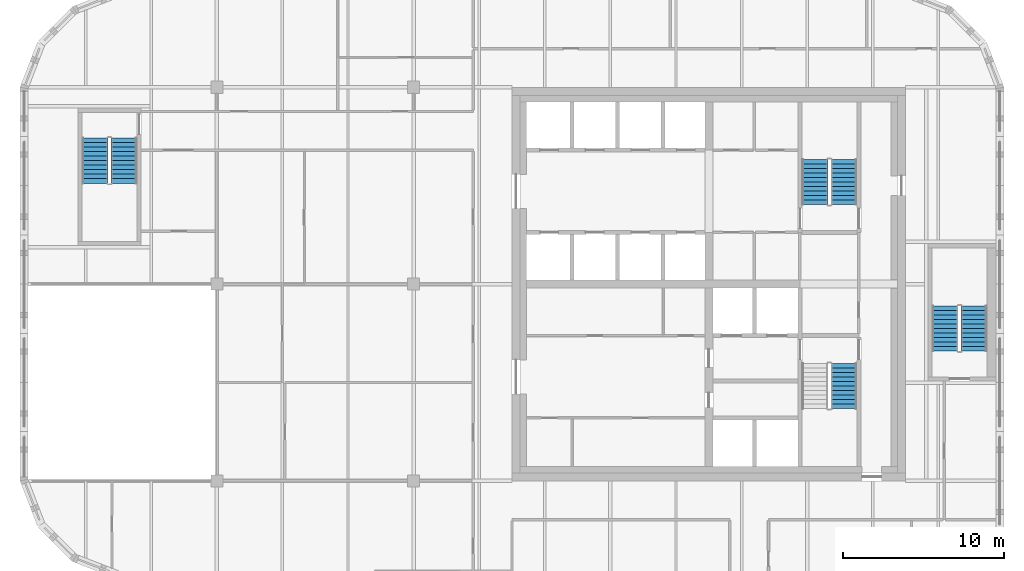
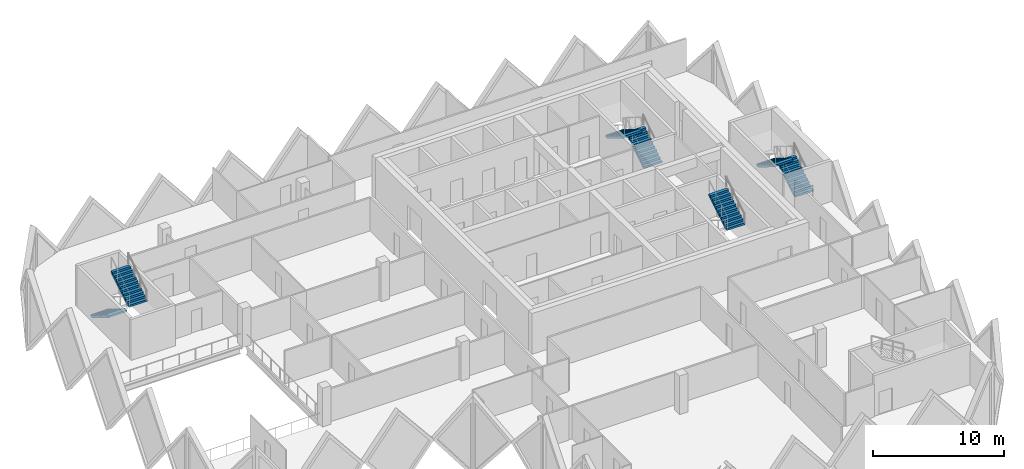
# One storey, part 11 of 12: 7 stair flights, 4 elements without a shape of their own.
"""IFC4 building model written with IfcOpenShell, lengths in metres."""

import ifcopenshell
import ifcopenshell.guid

model = None  # the IFC model being written
_history = None  # IfcOwnerHistory: only IFC2X3 demands one
_inside = {}  # id of a spatial element -> (the spatial element, [elements in it])
_under = {}  # id of a project, library or spatial element -> (it, [spatial elements below it])
_declared = {}  # id of a project -> (the project, [libraries it declares])
_typed = {}  # id of a type object -> (the type object, [elements of that type])
_made_of = {}  # id of a material, layer set ... -> (it, [elements and type objects made of it])


def new_model(schema):
    """Start an empty IFC model of exactly this schema.

    Asked for "IFC4X3", IfcOpenShell would pick the latest addendum, in which some entities
    have other attributes; the version numbers below select the first issue.
    IFC2X3 requires an IfcOwnerHistory on every rooted entity: one is made here for all.
    """
    global model, _history
    if schema == "IFC4X3":
        model = ifcopenshell.file(schema_version=(4, 3, 0, 0))
    else:
        model = ifcopenshell.file(schema=schema)
    _inside.clear()
    _under.clear()
    _declared.clear()
    _typed.clear()
    _made_of.clear()
    _history = None
    if model.schema == "IFC2X3":
        org = make("IfcOrganization", Name="unknown")
        user = make(
            "IfcPersonAndOrganization",
            ThePerson=make("IfcPerson", FamilyName="unknown"),
            TheOrganization=org,
        )
        app = make(
            "IfcApplication",
            ApplicationDeveloper=org,
            Version="unknown",
            ApplicationFullName="unknown",
            ApplicationIdentifier="unknown",
        )
        _history = make(
            "IfcOwnerHistory",
            OwningUser=user,
            OwningApplication=app,
            ChangeAction="ADDED",
            CreationDate=0,
        )
    return model


def make(cls, **values):
    """One entity of the class cls with the attributes given. An attribute that is None is left unset."""
    return model.create_entity(
        cls, **{name: value for name, value in values.items() if value is not None}
    )


def rooted(cls, **values):
    """An entity with a GlobalId (a new one), such as an element, a storey or a relation."""
    return make(cls, GlobalId=ifcopenshell.guid.new(), OwnerHistory=_history, **values)


def si_unit(unit_type, name, prefix=None):
    """IfcSIUnit, for example si_unit("LENGTHUNIT", "METRE", prefix="MILLI")."""
    return make("IfcSIUnit", UnitType=unit_type, Prefix=prefix, Name=name)


def assignment(units):
    """IfcUnitAssignment: the units of a project."""
    return None if units is None else make("IfcUnitAssignment", Units=units)


def point(xyz):
    """IfcCartesianPoint."""
    return None if xyz is None else make("IfcCartesianPoint", Coordinates=xyz)


def direction(xyz):
    """IfcDirection."""
    return None if xyz is None else make("IfcDirection", DirectionRatios=xyz)


def frame(location, z_axis=None, x_axis=None):
    """IfcAxis2Placement3D, a coordinate frame: its origin and axes. An axis left out is left unset."""
    return make(
        "IfcAxis2Placement3D",
        Location=point(location),
        Axis=direction(z_axis),
        RefDirection=direction(x_axis),
    )


def origin():
    """The frame at (0, 0, 0) with its axes left unset."""
    return frame((0.0, 0.0, 0.0))


def place(relative_to, where):
    """IfcLocalPlacement: puts the frame where relative to a parent placement (None: the world)."""
    return make(
        "IfcLocalPlacement", PlacementRelTo=relative_to, RelativePlacement=where
    )


def context(
    kind, dimensions, precision=None, world=None, true_north=None, identifier=None
):
    """IfcGeometricRepresentationContext, for example the 3D "Model" context."""
    return make(
        "IfcGeometricRepresentationContext",
        ContextIdentifier=identifier,
        ContextType=kind,
        CoordinateSpaceDimension=dimensions,
        Precision=precision,
        WorldCoordinateSystem=world,
        TrueNorth=true_north,
    )


def subcontext(parent, identifier, kind, view, scale=None):
    """IfcGeometricRepresentationSubContext, for example "Body" below "Model"."""
    return make(
        "IfcGeometricRepresentationSubContext",
        ContextIdentifier=identifier,
        ContextType=kind,
        ParentContext=parent,
        TargetScale=scale,
        TargetView=view,
    )


def project(units=None, contexts=None):
    """IfcProject with its units and contexts."""
    return rooted(
        "IfcProject",
        Name="project",
        RepresentationContexts=contexts,
        UnitsInContext=assignment(units),
    )


def spatial(cls, under=None, at=None, **own):
    """A site, building, storey or space (cls), placed at a placement, below another one or the project."""
    s = rooted(cls, ObjectPlacement=at, **own)
    if under is not None:
        _under.setdefault(under.id(), (under, []))[1].append(s)
    return s


def polyline(points):
    """IfcPolyline through the points."""
    return make("IfcPolyline", Points=[point(p) for p in points])


def outline(outer, holes=None, kind="AREA"):
    """IfcArbitraryClosedProfileDef: a profile drawn as a closed curve; with holes, ...WithVoids."""
    if holes is None:
        return make("IfcArbitraryClosedProfileDef", ProfileType=kind, OuterCurve=outer)
    return make(
        "IfcArbitraryProfileDefWithVoids",
        ProfileType=kind,
        OuterCurve=outer,
        InnerCurves=holes,
    )


def extrude(swept, where, along, depth):
    """IfcExtrudedAreaSolid: the profile swept, set in the frame where, extruded along a direction by depth."""
    return make(
        "IfcExtrudedAreaSolid",
        SweptArea=swept,
        Position=where,
        ExtrudedDirection=direction(along),
        Depth=depth,
    )


def shape(context_of_items, identifier, shape_type, items):
    """IfcShapeRepresentation: the items that make up one representation, for example the "Body"."""
    return make(
        "IfcShapeRepresentation",
        ContextOfItems=context_of_items,
        RepresentationIdentifier=identifier,
        RepresentationType=shape_type,
        Items=items,
    )


def material(Name=None, Category=None):
    """IfcMaterial."""
    return make("IfcMaterial", Name=Name, Category=Category)


def made_of(thing, what):
    """Note that an element or type object is made of a material, layer set ...; save() writes the relation."""
    if what is not None:
        _made_of.setdefault(what.id(), (what, []))[1].append(thing)
    return thing


def type_object(cls, material=None, **own):
    """A type object (cls), such as IfcWallType, which elements share."""
    return made_of(rooted(cls, **own), material)


def element(
    cls,
    number,
    at=None,
    inside=None,
    cuts=None,
    type_object=None,
    material=None,
    context=None,
    identifier="Body",
    shape_type=None,
    held_by="IfcProductDefinitionShape",
    body=None,
    shapes=None,
    **own,
):
    """One element of the class cls, such as IfcWall. Its Tag is "e" and its number.

    at: its placement. inside: the storey or other place that contains it. cuts: it is an
    opening in that element (IfcRelVoidsElement). A single representation is given by context,
    identifier, shape_type and body (its items); several are given by shapes. held_by: the class
    of the entity that holds the representations. save() writes the other relations.
    """
    e = rooted(cls, Tag="e%d" % number, ObjectPlacement=at, **own)
    if body is not None:
        shapes = [shape(context, identifier, shape_type, body)]
    if shapes is not None:
        e.Representation = make(held_by, Representations=shapes)
    if inside is not None:
        _inside.setdefault(inside.id(), (inside, []))[1].append(e)
    if cuts is not None:
        rooted(
            "IfcRelVoidsElement", RelatingBuildingElement=cuts, RelatedOpeningElement=e
        )
    if type_object is not None:
        _typed.setdefault(type_object.id(), (type_object, []))[1].append(e)
    return made_of(e, material)


def aggregate(whole, parts):
    """IfcRelAggregates: a whole, such as a stair, and the parts it consists of."""
    return rooted("IfcRelAggregates", RelatingObject=whole, RelatedObjects=parts)


def save(model, path):
    """Write the relations noted so far, then the file.

    IfcRelAggregates (storeys below a building ...), IfcRelContainedInSpatialStructure (elements
    in a storey), IfcRelDefinesByType, IfcRelAssociatesMaterial and IfcRelDeclares: one each for
    every whole, place, type object, material and project.
    """
    for whole, parts in _under.values():
        aggregate(whole, parts)
    for where, things in _inside.values():
        rooted(
            "IfcRelContainedInSpatialStructure",
            RelatedElements=things,
            RelatingStructure=where,
        )
    for kind, things in _typed.values():
        rooted("IfcRelDefinesByType", RelatedObjects=things, RelatingType=kind)
    for what, things in _made_of.values():
        rooted("IfcRelAssociatesMaterial", RelatedObjects=things, RelatingMaterial=what)
    for by, libraries in _declared.values():
        rooted("IfcRelDeclares", RelatingContext=by, RelatedDefinitions=libraries)
    model.write(path)


model = new_model("IFC4")

# Units and contexts
model_context = context("Model", 3, precision=1e-05, world=origin(), true_north=direction((0.0, 1.0)))
body_context = subcontext(model_context, "Body", "Model", "MODEL_VIEW")
ifc_project = project(units=[si_unit("LENGTHUNIT", "METRE"), si_unit("AREAUNIT", "SQUARE_METRE"), si_unit("VOLUMEUNIT", "CUBIC_METRE"), si_unit("PLANEANGLEUNIT", "RADIAN"), si_unit("MASSUNIT", "GRAM", prefix="KILO")], contexts=[model_context])

# Site, building, storey
site_placement = place(None, origin())
site = spatial("IfcSite", under=ifc_project, at=site_placement, CompositionType="ELEMENT")
building_placement = place(site_placement, origin())
building = spatial("IfcBuilding", under=site, at=building_placement, Name="Tessera Gate Towers", CompositionType="ELEMENT")
storey_placement = place(building_placement, frame((0.0, 0.0, 209.300048828125)))
storey = spatial("IfcBuildingStorey", under=building, at=storey_placement, Name="L52", CompositionType="ELEMENT", Elevation=209.300048828125)

# Stair, stair flight
ifc_material_1 = material(Name="Concrete C40/50", Category="concrete")
stair_type_1 = type_object("IfcStairType", Name="EXIT STAIR ST1 1600", PredefinedType="HALF_TURN_STAIR", material=ifc_material_1)
stair_1_placement = place(storey_placement, origin())
stair_1 = element("IfcStair", 1, at=stair_1_placement, inside=storey, type_object=stair_type_1, Name="L52 Protected Exit Stair ST1", PredefinedType="HALF_TURN_STAIR")
ifc_material_2 = material(Name="Concrete C40/50", Category="concrete")
stair_flight_type_1 = type_object("IfcStairFlightType", Name="EXIT STAIR FLIGHT ST1 1600", PredefinedType="STRAIGHT", material=ifc_material_2)
stair_flight_1_placement = place(storey_placement, frame((51.074951171875, 28.875, 1.89990234375), z_axis=(0.0, 0.0, 1.0), x_axis=(0.0, 1.0, 0.0)))
stair_flight_1 = element("IfcStairFlight", 2, at=stair_flight_1_placement, type_object=stair_flight_type_1, Name="ST1 flight 2", NumberOfRisers=11, NumberOfTreads=10, PredefinedType="STRAIGHT", RiserHeight=0.172727273, TreadLength=0.28, context=body_context, shape_type="SweptSolid", body=[
    extrude(outline(polyline([(0.0, 0.0), (0.0, 0.172607421875), (0.280029296875, 0.172607421875), (0.280029296875, 0.345458984375), (0.56005859375, 0.345458984375), (0.56005859375, 0.51806640625), (0.840087890625, 0.51806640625), (0.840087890625, 0.69091796875), (1.1201171875, 0.69091796875), (1.1201171875, 0.863525390625), (1.39990234375, 0.863525390625), (1.39990234375, 1.036376953125), (1.679931640625, 1.036376953125), (1.679931640625, 1.208984375), (1.9599609375, 1.208984375), (1.9599609375, 1.3818359375), (2.239990234375, 1.3818359375), (2.239990234375, 1.554443359375), (2.52001953125, 1.554443359375), (2.52001953125, 1.727294921875), (2.800048828125, 1.727294921875), (2.800048828125, 1.89990234375), (2.800048828125, 1.551025390625), (0.285400390625, 0.0), (0.0, 0.0)])), frame((0.0, 0.800048828125, 0.0), z_axis=(0.0, -1.0, 0.0), x_axis=(1.0, 0.0, 0.0)), (0.0, 0.0, 1.0), 1.60009765625),
])
aggregate(stair_1, [stair_flight_1])

# Stair, stair flights
ifc_material_3 = material(Name="Concrete C40/50", Category="concrete")
stair_type_2 = type_object("IfcStairType", Name="EXIT STAIR ST2 1600", PredefinedType="HALF_TURN_STAIR", material=ifc_material_3)
stair_2_placement = place(storey_placement, origin())
stair_2 = element("IfcStair", 3, at=stair_2_placement, inside=storey, type_object=stair_type_2, Name="L52 Protected Exit Stair ST2", PredefinedType="HALF_TURN_STAIR")
ifc_material_4 = material(Name="Concrete C40/50", Category="concrete")
stair_flight_type_2 = type_object("IfcStairFlightType", Name="EXIT STAIR FLIGHT ST2 1600", PredefinedType="STRAIGHT", material=ifc_material_4)
stair_flight_2_placement = place(storey_placement, frame((51.074951171875, 41.52490234375, 0.0), z_axis=(0.0, 0.0, 1.0), x_axis=(0.0, 1.0, 0.0)))
stair_flight_2 = element("IfcStairFlight", 4, at=stair_flight_2_placement, type_object=stair_flight_type_2, Name="ST2 flight 1", NumberOfRisers=11, NumberOfTreads=10, PredefinedType="STRAIGHT", RiserHeight=0.172727273, TreadLength=0.28, context=body_context, shape_type="SweptSolid", body=[
    extrude(outline(polyline([(0.0, 0.0), (0.0, 0.172607421875), (0.280029296875, 0.172607421875), (0.280029296875, 0.345458984375), (0.56005859375, 0.345458984375), (0.56005859375, 0.51806640625), (0.840087890625, 0.51806640625), (0.840087890625, 0.69091796875), (1.1201171875, 0.69091796875), (1.1201171875, 0.863525390625), (1.39990234375, 0.863525390625), (1.39990234375, 1.036376953125), (1.679931640625, 1.036376953125), (1.679931640625, 1.208984375), (1.9599609375, 1.208984375), (1.9599609375, 1.3818359375), (2.239990234375, 1.3818359375), (2.239990234375, 1.554443359375), (2.52001953125, 1.554443359375), (2.52001953125, 1.727294921875), (2.800048828125, 1.727294921875), (2.800048828125, 1.89990234375), (2.800048828125, 1.551025390625), (0.285400390625, 0.0), (0.0, 0.0)])), frame((0.0, 0.800048828125, 0.0), z_axis=(0.0, -1.0, 0.0), x_axis=(1.0, 0.0, 0.0)), (0.0, 0.0, 1.0), 1.60009765625),
])
stair_flight_3_placement = place(storey_placement, frame((49.27490234375, 44.324951171875, 1.89990234375), z_axis=(0.0, 0.0, 1.0), x_axis=(0.0, -1.0, 0.0)))
stair_flight_3 = element("IfcStairFlight", 5, at=stair_flight_3_placement, type_object=stair_flight_type_2, Name="ST2 flight 2", NumberOfRisers=11, NumberOfTreads=10, PredefinedType="STRAIGHT", RiserHeight=0.172727273, TreadLength=0.28, context=body_context, shape_type="SweptSolid", body=[
    extrude(outline(polyline([(0.0, 0.0), (0.0, 0.172607421875), (0.280029296875, 0.172607421875), (0.280029296875, 0.345458984375), (0.56005859375, 0.345458984375), (0.56005859375, 0.51806640625), (0.840087890625, 0.51806640625), (0.840087890625, 0.69091796875), (1.1201171875, 0.69091796875), (1.1201171875, 0.863525390625), (1.39990234375, 0.863525390625), (1.39990234375, 1.036376953125), (1.679931640625, 1.036376953125), (1.679931640625, 1.208984375), (1.9599609375, 1.208984375), (1.9599609375, 1.3818359375), (2.239990234375, 1.3818359375), (2.239990234375, 1.554443359375), (2.52001953125, 1.554443359375), (2.52001953125, 1.727294921875), (2.800048828125, 1.727294921875), (2.800048828125, 1.89990234375), (2.800048828125, 1.551025390625), (0.285400390625, 0.0), (0.0, 0.0)])), frame((0.0, 0.800048828125, 0.0), z_axis=(0.0, -1.0, 0.0), x_axis=(1.0, 0.0, 0.0)), (0.0, 0.0, 1.0), 1.60009765625),
])
aggregate(stair_2, [stair_flight_2, stair_flight_3])

ifc_material_5 = material(Name="Concrete C40/50", Category="concrete")
stair_type_3 = type_object("IfcStairType", Name="EXIT STAIR ST3 1600", PredefinedType="HALF_TURN_STAIR", material=ifc_material_5)
stair_3_placement = place(storey_placement, origin())
stair_3 = element("IfcStair", 6, at=stair_3_placement, inside=storey, type_object=stair_type_3, Name="L52 West Exit Stair ST3", PredefinedType="HALF_TURN_STAIR")
ifc_material_6 = material(Name="Concrete C40/50", Category="concrete")
stair_flight_type_3 = type_object("IfcStairFlightType", Name="EXIT STAIR FLIGHT ST3 1600", PredefinedType="STRAIGHT", material=ifc_material_6)
stair_flight_4_placement = place(storey_placement, frame((4.64990234375, 45.64990234375, 0.0), z_axis=(0.0, 0.0, 1.0), x_axis=(0.0, -1.0, 0.0)))
stair_flight_4 = element("IfcStairFlight", 7, at=stair_flight_4_placement, type_object=stair_flight_type_3, Name="ST3 flight 1", NumberOfRisers=11, NumberOfTreads=10, PredefinedType="STRAIGHT", RiserHeight=0.172727273, TreadLength=0.28, context=body_context, shape_type="SweptSolid", body=[
    extrude(outline(polyline([(0.0, 0.0), (0.0, 0.172607421875), (0.280029296875, 0.172607421875), (0.280029296875, 0.345458984375), (0.56005859375, 0.345458984375), (0.56005859375, 0.51806640625), (0.840087890625, 0.51806640625), (0.840087890625, 0.69091796875), (1.1201171875, 0.69091796875), (1.1201171875, 0.863525390625), (1.39990234375, 0.863525390625), (1.39990234375, 1.036376953125), (1.679931640625, 1.036376953125), (1.679931640625, 1.208984375), (1.9599609375, 1.208984375), (1.9599609375, 1.3818359375), (2.239990234375, 1.3818359375), (2.239990234375, 1.554443359375), (2.52001953125, 1.554443359375), (2.52001953125, 1.727294921875), (2.800048828125, 1.727294921875), (2.800048828125, 1.89990234375), (2.800048828125, 1.551025390625), (0.285400390625, 0.0), (0.0, 0.0)])), frame((0.0, 0.800048828125, 0.0), z_axis=(0.0, -1.0, 0.0), x_axis=(1.0, 0.0, 0.0)), (0.0, 0.0, 1.0), 1.60009765625),
])
stair_flight_5_placement = place(storey_placement, frame((6.449951171875, 42.85009765625, 1.89990234375), z_axis=(0.0, 0.0, 1.0), x_axis=(0.0, 1.0, 0.0)))
stair_flight_5 = element("IfcStairFlight", 8, at=stair_flight_5_placement, type_object=stair_flight_type_3, Name="ST3 flight 2", NumberOfRisers=11, NumberOfTreads=10, PredefinedType="STRAIGHT", RiserHeight=0.172727273, TreadLength=0.28, context=body_context, shape_type="SweptSolid", body=[
    extrude(outline(polyline([(0.0, 0.0), (0.0, 0.172607421875), (0.280029296875, 0.172607421875), (0.280029296875, 0.345458984375), (0.56005859375, 0.345458984375), (0.56005859375, 0.51806640625), (0.840087890625, 0.51806640625), (0.840087890625, 0.69091796875), (1.1201171875, 0.69091796875), (1.1201171875, 0.863525390625), (1.39990234375, 0.863525390625), (1.39990234375, 1.036376953125), (1.679931640625, 1.036376953125), (1.679931640625, 1.208984375), (1.9599609375, 1.208984375), (1.9599609375, 1.3818359375), (2.239990234375, 1.3818359375), (2.239990234375, 1.554443359375), (2.52001953125, 1.554443359375), (2.52001953125, 1.727294921875), (2.800048828125, 1.727294921875), (2.800048828125, 1.89990234375), (2.800048828125, 1.551025390625), (0.285400390625, 0.0), (0.0, 0.0)])), frame((0.0, 0.800048828125, 0.0), z_axis=(0.0, -1.0, 0.0), x_axis=(1.0, 0.0, 0.0)), (0.0, 0.0, 1.0), 1.60009765625),
])
aggregate(stair_3, [stair_flight_4, stair_flight_5])

ifc_material_7 = material(Name="Concrete C40/50", Category="concrete")
stair_type_4 = type_object("IfcStairType", Name="EXIT STAIR ST5 1600", PredefinedType="HALF_TURN_STAIR", material=ifc_material_7)
stair_4_placement = place(storey_placement, origin())
stair_4 = element("IfcStair", 9, at=stair_4_placement, inside=storey, type_object=stair_type_4, Name="L52 East Exit Stair ST5", PredefinedType="HALF_TURN_STAIR")
ifc_material_8 = material(Name="Concrete C40/50", Category="concrete")
stair_flight_type_4 = type_object("IfcStairFlightType", Name="EXIT STAIR FLIGHT ST5 1600", PredefinedType="STRAIGHT", material=ifc_material_8)
stair_flight_6_placement = place(storey_placement, frame((59.14990234375, 32.449951171875, 0.0), z_axis=(0.0, 0.0, 1.0), x_axis=(0.0, 1.0, 0.0)))
stair_flight_6 = element("IfcStairFlight", 10, at=stair_flight_6_placement, type_object=stair_flight_type_4, Name="ST5 flight 1", NumberOfRisers=11, NumberOfTreads=10, PredefinedType="STRAIGHT", RiserHeight=0.172727273, TreadLength=0.28, context=body_context, shape_type="SweptSolid", body=[
    extrude(outline(polyline([(0.0, 0.0), (0.0, 0.172607421875), (0.280029296875, 0.172607421875), (0.280029296875, 0.345458984375), (0.56005859375, 0.345458984375), (0.56005859375, 0.51806640625), (0.840087890625, 0.51806640625), (0.840087890625, 0.69091796875), (1.1201171875, 0.69091796875), (1.1201171875, 0.863525390625), (1.39990234375, 0.863525390625), (1.39990234375, 1.036376953125), (1.679931640625, 1.036376953125), (1.679931640625, 1.208984375), (1.9599609375, 1.208984375), (1.9599609375, 1.3818359375), (2.239990234375, 1.3818359375), (2.239990234375, 1.554443359375), (2.52001953125, 1.554443359375), (2.52001953125, 1.727294921875), (2.800048828125, 1.727294921875), (2.800048828125, 1.89990234375), (2.800048828125, 1.551025390625), (0.285400390625, 0.0), (0.0, 0.0)])), frame((0.0, 0.800048828125, 0.0), z_axis=(0.0, -1.0, 0.0), x_axis=(1.0, 0.0, 0.0)), (0.0, 0.0, 1.0), 1.60009765625),
])
stair_flight_7_placement = place(storey_placement, frame((57.35009765625, 35.25, 1.89990234375), z_axis=(0.0, 0.0, 1.0), x_axis=(0.0, -1.0, 0.0)))
stair_flight_7 = element("IfcStairFlight", 11, at=stair_flight_7_placement, type_object=stair_flight_type_4, Name="ST5 flight 2", NumberOfRisers=11, NumberOfTreads=10, PredefinedType="STRAIGHT", RiserHeight=0.172727273, TreadLength=0.28, context=body_context, shape_type="SweptSolid", body=[
    extrude(outline(polyline([(0.0, 0.0), (0.0, 0.172607421875), (0.280029296875, 0.172607421875), (0.280029296875, 0.345458984375), (0.56005859375, 0.345458984375), (0.56005859375, 0.51806640625), (0.840087890625, 0.51806640625), (0.840087890625, 0.69091796875), (1.1201171875, 0.69091796875), (1.1201171875, 0.863525390625), (1.39990234375, 0.863525390625), (1.39990234375, 1.036376953125), (1.679931640625, 1.036376953125), (1.679931640625, 1.208984375), (1.9599609375, 1.208984375), (1.9599609375, 1.3818359375), (2.239990234375, 1.3818359375), (2.239990234375, 1.554443359375), (2.52001953125, 1.554443359375), (2.52001953125, 1.727294921875), (2.800048828125, 1.727294921875), (2.800048828125, 1.89990234375), (2.800048828125, 1.551025390625), (0.285400390625, 0.0), (0.0, 0.0)])), frame((0.0, 0.800048828125, 0.0), z_axis=(0.0, -1.0, 0.0), x_axis=(1.0, 0.0, 0.0)), (0.0, 0.0, 1.0), 1.60009765625),
])
aggregate(stair_4, [stair_flight_6, stair_flight_7])

save(model, "model.ifc")
